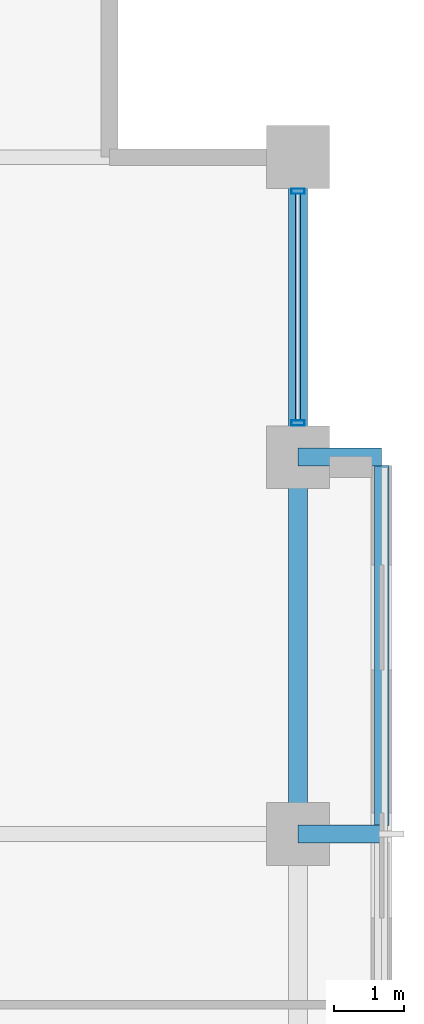
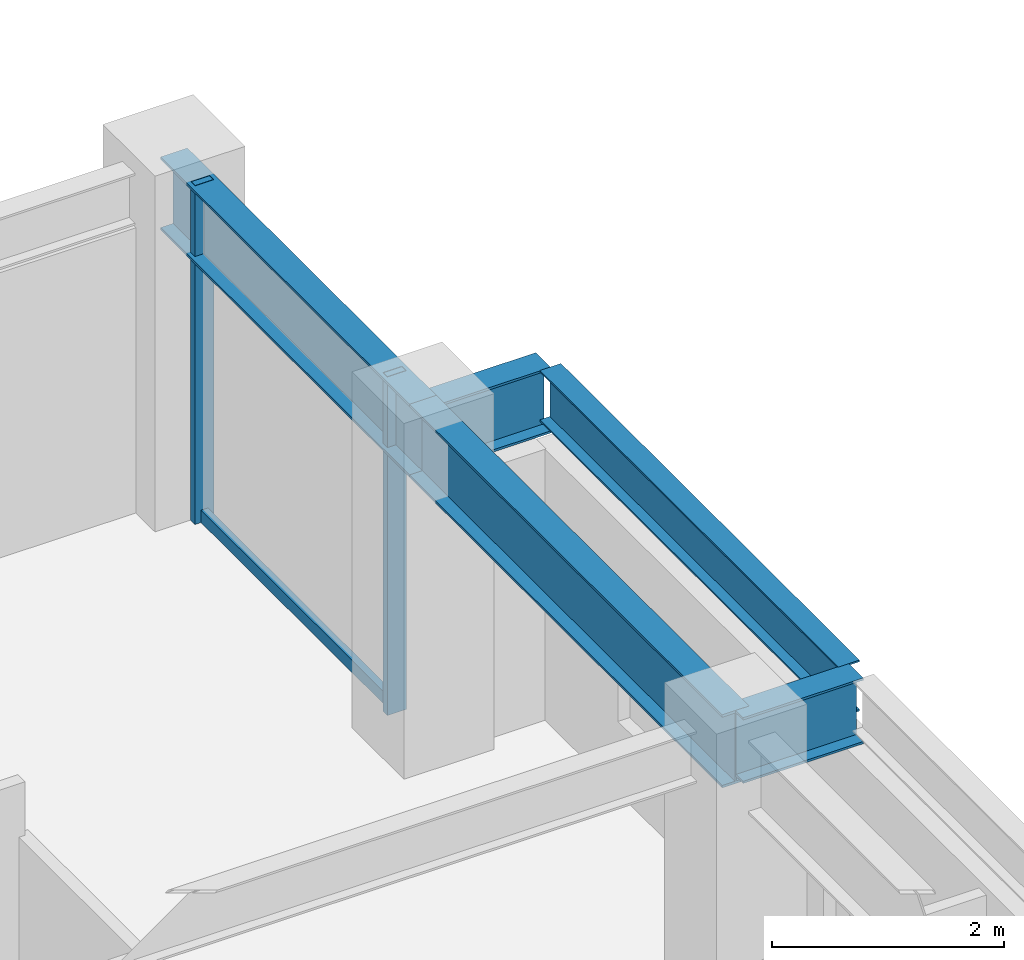
# One storey, part 24 of 32: 5 beams, 3 members, 1 element without a shape of its own.
"""IFC4 building model written with IfcOpenShell, lengths in metres."""

from ifc_helpers import new_model, si_unit, direction, frame, origin, origin_2d, place, context, subcontext, project, spatial, hollow_rectangle, i_section, extrude, material, layer, layer_set, material_profile, profile_set, type_object, element, aggregate, save


model = new_model("IFC4")

# Units and contexts
model_context = context("Model", 3, precision=1e-05, world=origin(), true_north=direction((0.0, 1.0)))
body_context = subcontext(model_context, "Body", "Model", "MODEL_VIEW")
ifc_project = project(units=[si_unit("LENGTHUNIT", "METRE"), si_unit("AREAUNIT", "SQUARE_METRE"), si_unit("VOLUMEUNIT", "CUBIC_METRE"), si_unit("PLANEANGLEUNIT", "RADIAN"), si_unit("MASSUNIT", "GRAM", prefix="KILO")], contexts=[model_context])

# Site, building, storey
site_placement = place(None, origin())
site = spatial("IfcSite", under=ifc_project, at=site_placement, CompositionType="ELEMENT")
building_placement = place(site_placement, origin())
building = spatial("IfcBuilding", under=site, at=building_placement, Name="Surkhivell Harbour Commons", CompositionType="ELEMENT")
storey_placement = place(building_placement, frame((0.0, 0.0, 189.75)))
storey = spatial("IfcBuildingStorey", under=building, at=storey_placement, Name="L49", CompositionType="ELEMENT", Elevation=189.75)

# Beams
ifc_material_1 = material(Name="Steel S460", Category="steel")
ifc_material_profile_1 = material_profile(ifc_material_1, i_section(OverallWidth=0.256103515625, OverallDepth=0.693115234375, WebThickness=0.014404296875, FlangeThickness=0.023681640625, at=origin_2d()), Name="UB686x254x170")
ifc_profile_set_1 = profile_set([ifc_material_profile_1], Name="Steel S460")
beam_type_1 = type_object("IfcBeamType", Name="BM-CNT-686", PredefinedType="BEAM", material=ifc_profile_set_1)
for number, where, z_axis, x_axis, name in (
    (1, (21.60009765625, 10.800048828125, 3.223388671875), (1.0, 0.0, 0.0), (0.0, 1.0, 0.0), "L49 Box Cantilever Outrigger (21.6,10.8)"),
    (2, (21.60009765625, 16.199951171875, 3.223388671875), (1.0, 0.0, 0.0), (0.0, 1.0, 0.0), "L49 Box Cantilever Outrigger (21.6,16.2)"),
):
    element("IfcBeam", number, at=place(storey_placement, frame(where, z_axis=z_axis, x_axis=x_axis)), inside=storey, type_object=beam_type_1, Name=name, PredefinedType="BEAM", context=body_context, shape_type="SweptSolid", body=[
        extrude(i_section(OverallWidth=0.256103515625, OverallDepth=0.693115234375, WebThickness=0.014404296875, FlangeThickness=0.023681640625, at=origin_2d()), origin(), (0.0, 0.0, 1.0), 1.199951171875),
    ])
ifc_material_2 = material(Name="Steel S355", Category="steel")
ifc_material_profile_2 = material_profile(ifc_material_2, i_section(OverallWidth=0.2099609375, OverallDepth=0.537109375, WebThickness=0.0107421875, FlangeThickness=0.017333984375, at=origin_2d()), Name="UB533x210x101")
ifc_profile_set_2 = profile_set([ifc_material_profile_2], Name="Steel S355")
beam_type_2 = type_object("IfcBeamType", Name="BM-GRD-533B", PredefinedType="BEAM", material=ifc_profile_set_2)
beam_1_placement = place(storey_placement, frame((22.800048828125, 10.922119140625, 3.301513671875), z_axis=(0.0, 1.0, 0.0), x_axis=(-1.0, 0.0, 0.0)))
element("IfcBeam", 3, at=beam_1_placement, inside=storey, type_object=beam_type_2, Name="L49 Box Rim Spandrel (22.8,10.8)", PredefinedType="BEAM", context=body_context, shape_type="SweptSolid", body=[
    extrude(i_section(OverallWidth=0.2099609375, OverallDepth=0.537109375, WebThickness=0.0107421875, FlangeThickness=0.017333984375, at=origin_2d()), origin(), (0.0, 0.0, 1.0), 5.15576171875),
])
ifc_material_profile_3 = material_profile(ifc_material_2, i_section(OverallWidth=0.26806640625, OverallDepth=0.77001953125, WebThickness=0.015625, FlangeThickness=0.025390625, at=origin_2d()), Name="UB762x267x197")
ifc_profile_set_3 = profile_set([ifc_material_profile_3], Name="Steel S355")
beam_type_3 = type_object("IfcBeamType", Name="BM-SPN-762", PredefinedType="SPANDREL", material=ifc_profile_set_3)
beam_2_placement = place(storey_placement, frame((21.60009765625, 10.800048828125, 3.18505859375), z_axis=(0.0, 1.0, 0.0), x_axis=(-1.0, 0.0, 0.0)))
element("IfcBeam", 4, at=beam_2_placement, inside=storey, type_object=beam_type_3, Name="L49 Tube Spandrel (21.6,10.8)", PredefinedType="SPANDREL", context=body_context, shape_type="SweptSolid", body=[
    extrude(i_section(OverallWidth=0.26806640625, OverallDepth=0.77001953125, WebThickness=0.015625, FlangeThickness=0.025390625, at=origin_2d()), origin(), (0.0, 0.0, 1.0), 5.39990234375),
])
beam_3_placement = place(storey_placement, frame((21.60009765625, 16.199951171875, 3.18505859375), z_axis=(0.0, 1.0, 0.0), x_axis=(-1.0, 0.0, 0.0)))
element("IfcBeam", 5, at=beam_3_placement, inside=storey, type_object=beam_type_3, Name="L49 Tube Spandrel (21.6,16.2)", PredefinedType="SPANDREL", context=body_context, shape_type="SweptSolid", body=[
    extrude(i_section(OverallWidth=0.26806640625, OverallDepth=0.77001953125, WebThickness=0.015625, FlangeThickness=0.025390625, at=origin_2d()), origin(), (0.0, 0.0, 1.0), 4.300048828125),
])

# Curtain wall, members
ifc_material_3 = material(Name="Anodised pale-metal aluminium and insulated glazing", Category="aluminium")
ifc_layer = layer(ifc_material_3, 0.18994140625)
ifc_layer_set = layer_set([ifc_layer], Name="Anodised pale-metal aluminium and insulated glazing")
curtain_wall_type = type_object("IfcCurtainWallType", Name="CW-SYS-Z3", PredefinedType="NOTDEFINED", material=ifc_layer_set)
curtain_wall_placement = place(storey_placement, origin())
curtain_wall = element("IfcCurtainWall", 6, at=curtain_wall_placement, inside=storey, type_object=curtain_wall_type, Name="L49 Curtain Wall CW-L49-E02R2", PredefinedType="NOTDEFINED")
ifc_material_4 = material(Name="Anodised pale-metal aluminium alloy 6063-T6", Category="aluminium")
ifc_material_profile_4 = material_profile(ifc_material_4, hollow_rectangle(XDim=0.074951171875, YDim=0.18994140625, WallThickness=0.00390625, at=origin_2d()), Name="ALU-MULL-75x190")
ifc_profile_set_4 = profile_set([ifc_material_profile_4], Name="Anodised pale-metal aluminium alloy 6063-T6")
member_type_1 = type_object("IfcMemberType", Name="CWM-190", PredefinedType="MULLION", material=ifc_profile_set_4)
member_1_placement = place(storey_placement, frame((21.60009765625, 16.689453125, 0.0), z_axis=(0.0, 0.0, 1.0), x_axis=(0.0, 1.0, 0.0)))
member_1 = element("IfcMember", 7, at=member_1_placement, type_object=member_type_1, Name="CW-Z3 mullion 1", PredefinedType="MULLION", context=body_context, shape_type="SweptSolid", body=[
    extrude(hollow_rectangle(XDim=0.074951171875, YDim=0.18994140625, WallThickness=0.00390625, at=origin_2d()), origin(), (0.0, 0.0, 1.0), 3.570068359375),
])
member_2_placement = place(storey_placement, frame((21.60009765625, 20.010498046875, 0.0), z_axis=(0.0, 0.0, 1.0), x_axis=(0.0, 1.0, 0.0)))
member_2 = element("IfcMember", 8, at=member_2_placement, type_object=member_type_1, Name="CW-Z3 mullion 2", PredefinedType="MULLION", context=body_context, shape_type="SweptSolid", body=[
    extrude(hollow_rectangle(XDim=0.074951171875, YDim=0.18994140625, WallThickness=0.00390625, at=origin_2d()), origin(), (0.0, 0.0, 1.0), 3.570068359375),
])
ifc_material_5 = material(Name="Champagne anodised aluminium alloy 6063-T6", Category="aluminium")
ifc_material_profile_5 = material_profile(ifc_material_5, hollow_rectangle(XDim=0.070068359375, YDim=0.1298828125, WallThickness=0.00341796875, at=origin_2d()), Name="ALU-TRAN-70x130")
ifc_profile_set_5 = profile_set([ifc_material_profile_5], Name="Champagne anodised aluminium alloy 6063-T6")
member_type_2 = type_object("IfcMemberType", Name="CWT-130", PredefinedType="USERDEFINED", material=ifc_profile_set_5)
member_3_placement = place(storey_placement, frame((21.60009765625, 16.72705078125, 0.06494140625), z_axis=(0.0, 1.0, 0.0), x_axis=(-1.0, 0.0, 0.0)))
member_3 = element("IfcMember", 9, at=member_3_placement, type_object=member_type_2, Name="CW-Z3 transom 1.1", ObjectType="TRANSOM", PredefinedType="USERDEFINED", context=body_context, shape_type="SweptSolid", body=[
    extrude(hollow_rectangle(XDim=0.070068359375, YDim=0.1298828125, WallThickness=0.00341796875, at=origin_2d()), origin(), (0.0, 0.0, 1.0), 3.245849609375),
])
aggregate(curtain_wall, [member_1, member_2, member_3])

save(model, "model.ifc")
